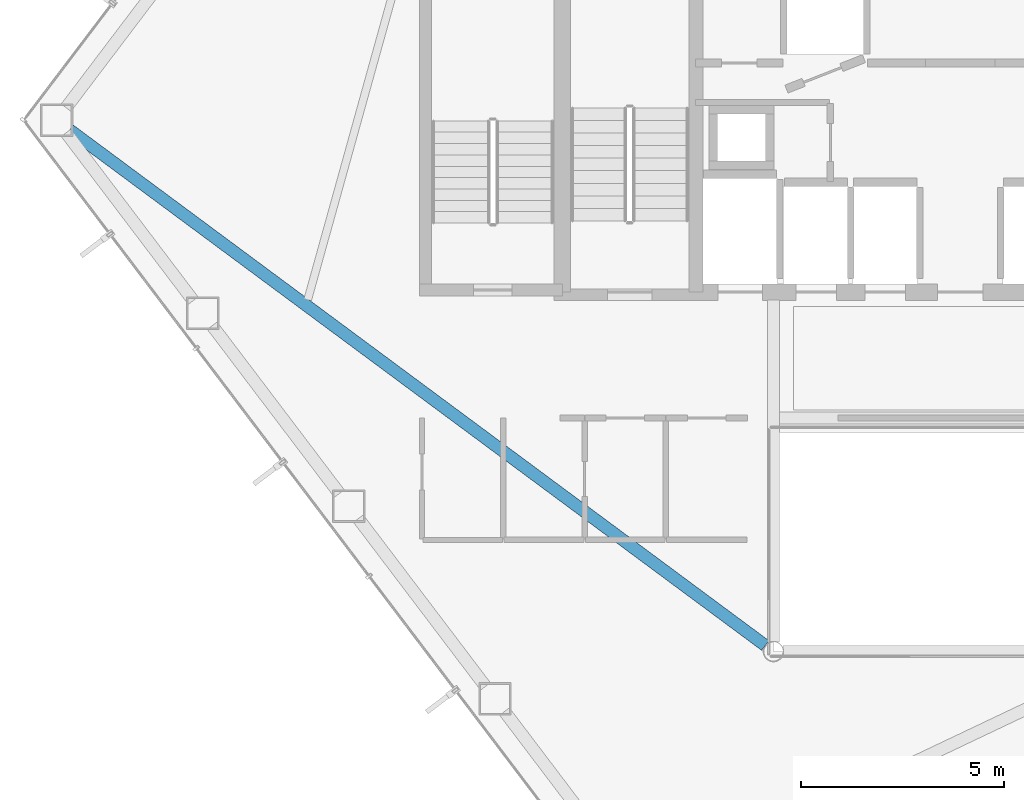
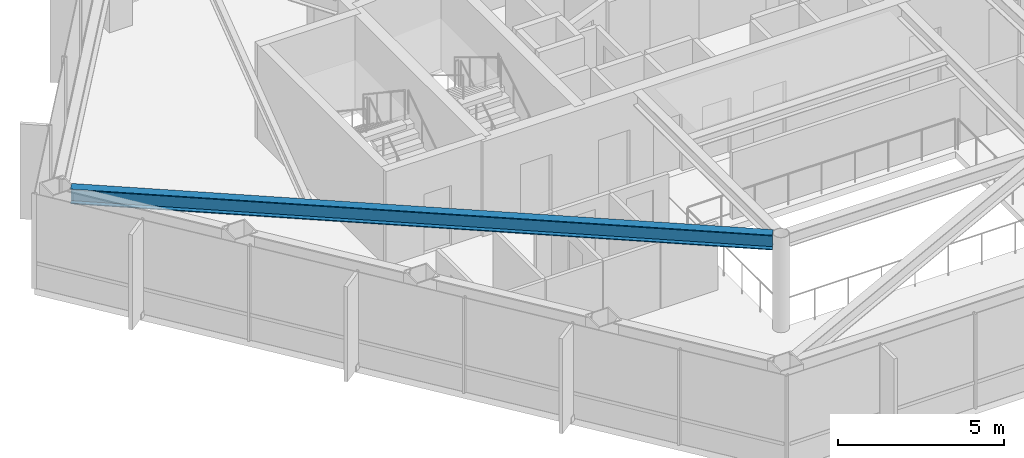
# One storey, part 5 of 28: 1 beam.
"""IFC4 building model written with IfcOpenShell, lengths in metres."""

from ifc_helpers import new_model, si_unit, direction, frame, origin, origin_2d, place, context, subcontext, project, spatial, i_section, extrude, material, material_profile, profile_set, type_object, element, save


model = new_model("IFC4")

# Units and contexts
model_context = context("Model", 3, precision=1e-05, world=origin(), true_north=direction((0.0, 1.0)))
body_context = subcontext(model_context, "Body", "Model", "MODEL_VIEW")
ifc_project = project(units=[si_unit("LENGTHUNIT", "METRE"), si_unit("AREAUNIT", "SQUARE_METRE"), si_unit("VOLUMEUNIT", "CUBIC_METRE"), si_unit("PLANEANGLEUNIT", "RADIAN"), si_unit("MASSUNIT", "GRAM", prefix="KILO")], contexts=[model_context])

# Site, building, storey
site_placement = place(None, origin())
site = spatial("IfcSite", under=ifc_project, at=site_placement, CompositionType="ELEMENT")
building_placement = place(site_placement, origin())
building = spatial("IfcBuilding", under=site, at=building_placement, Name="Zarrinselat Tower", CompositionType="ELEMENT")
storey_placement = place(building_placement, frame((0.0, 0.0, 149.60009765625)))
storey = spatial("IfcBuildingStorey", under=building, at=storey_placement, Name="L36", CompositionType="ELEMENT", Elevation=149.60009765625)

# Beam
ifc_material = material(Name="Steel S355J2", Category="steel")
ifc_material_profile = material_profile(ifc_material, i_section(OverallWidth=0.300048828125, OverallDepth=0.550048828125, WebThickness=0.014892578125, FlangeThickness=0.029052734375, at=origin_2d()), Name="HEB 550")
ifc_profile_set = profile_set([ifc_material_profile], Name="Steel S355J2")
beam_type = type_object("IfcBeamType", Name="BM-HEB550", PredefinedType="BEAM", material=ifc_profile_set)
beam_placement = place(storey_placement, frame((16.47021484375, 37.243896484375, 3.224853515625), z_axis=(0.803400361154, -0.595439215787, 0.0), x_axis=(0.595439215787, 0.803400361154, 0.0)))
element("IfcBeam", 1, at=beam_placement, inside=storey, type_object=beam_type, Name="L36 Radial Primary Girder RG06", PredefinedType="BEAM", context=body_context, shape_type="SweptSolid", body=[
    extrude(i_section(OverallWidth=0.300048828125, OverallDepth=0.550048828125, WebThickness=0.014892578125, FlangeThickness=0.029052734375, at=origin_2d()), origin(), (0.0, 0.0, 1.0), 21.320556640625),
])

save(model, "model.ifc")
